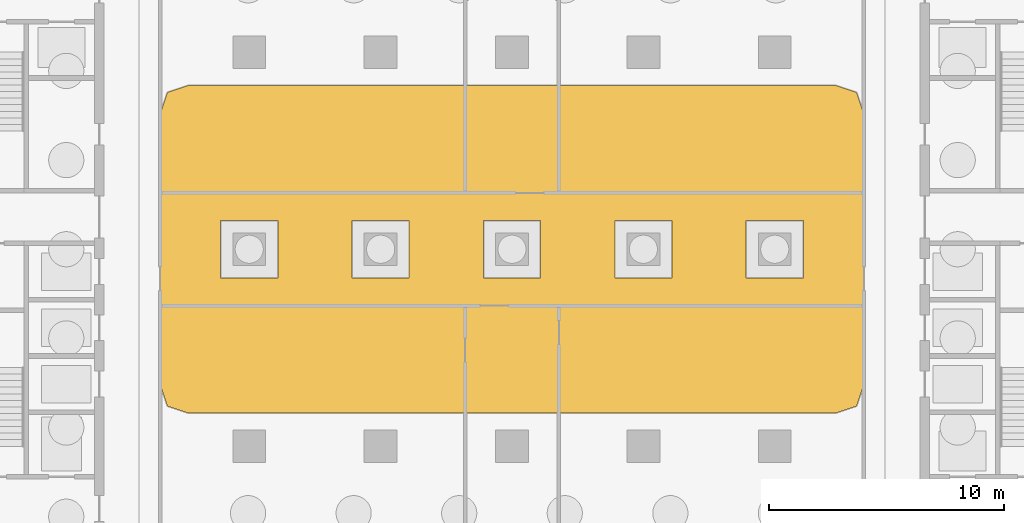
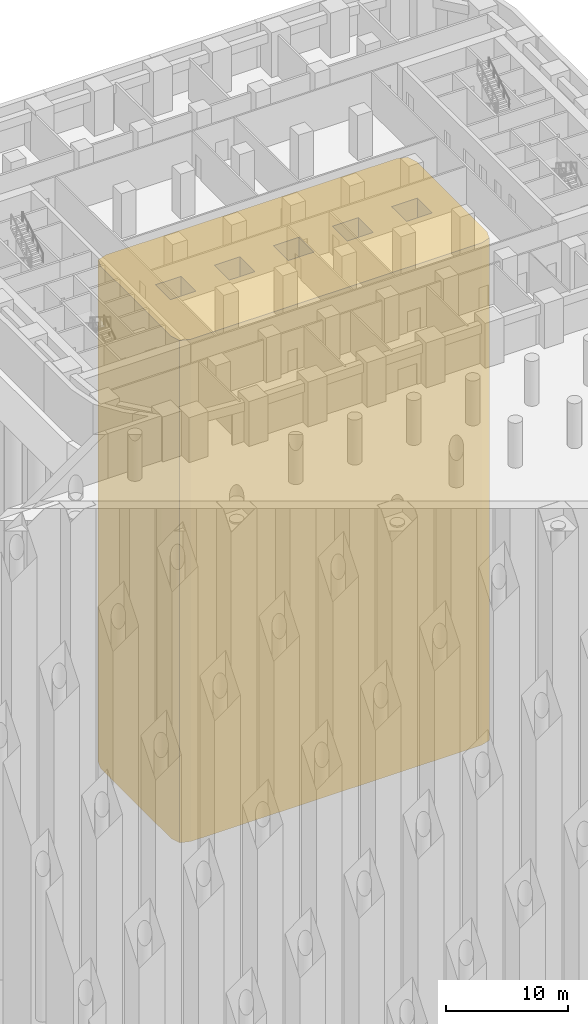
# One storey, part 20 of 23: 1 covering.
"""IFC4 building model written with IfcOpenShell, lengths in metres."""

import ifcopenshell
import ifcopenshell.guid

model = None  # the IFC model being written
_history = None  # IfcOwnerHistory: only IFC2X3 demands one
_inside = {}  # id of a spatial element -> (the spatial element, [elements in it])
_under = {}  # id of a project, library or spatial element -> (it, [spatial elements below it])
_declared = {}  # id of a project -> (the project, [libraries it declares])
_typed = {}  # id of a type object -> (the type object, [elements of that type])
_made_of = {}  # id of a material, layer set ... -> (it, [elements and type objects made of it])


def new_model(schema):
    """Start an empty IFC model of exactly this schema.

    Asked for "IFC4X3", IfcOpenShell would pick the latest addendum, in which some entities
    have other attributes; the version numbers below select the first issue.
    IFC2X3 requires an IfcOwnerHistory on every rooted entity: one is made here for all.
    """
    global model, _history
    if schema == "IFC4X3":
        model = ifcopenshell.file(schema_version=(4, 3, 0, 0))
    else:
        model = ifcopenshell.file(schema=schema)
    _inside.clear()
    _under.clear()
    _declared.clear()
    _typed.clear()
    _made_of.clear()
    _history = None
    if model.schema == "IFC2X3":
        org = make("IfcOrganization", Name="unknown")
        user = make(
            "IfcPersonAndOrganization",
            ThePerson=make("IfcPerson", FamilyName="unknown"),
            TheOrganization=org,
        )
        app = make(
            "IfcApplication",
            ApplicationDeveloper=org,
            Version="unknown",
            ApplicationFullName="unknown",
            ApplicationIdentifier="unknown",
        )
        _history = make(
            "IfcOwnerHistory",
            OwningUser=user,
            OwningApplication=app,
            ChangeAction="ADDED",
            CreationDate=0,
        )
    return model


def make(cls, **values):
    """One entity of the class cls with the attributes given. An attribute that is None is left unset."""
    return model.create_entity(
        cls, **{name: value for name, value in values.items() if value is not None}
    )


def rooted(cls, **values):
    """An entity with a GlobalId (a new one), such as an element, a storey or a relation."""
    return make(cls, GlobalId=ifcopenshell.guid.new(), OwnerHistory=_history, **values)


def si_unit(unit_type, name, prefix=None):
    """IfcSIUnit, for example si_unit("LENGTHUNIT", "METRE", prefix="MILLI")."""
    return make("IfcSIUnit", UnitType=unit_type, Prefix=prefix, Name=name)


def assignment(units):
    """IfcUnitAssignment: the units of a project."""
    return None if units is None else make("IfcUnitAssignment", Units=units)


def point(xyz):
    """IfcCartesianPoint."""
    return None if xyz is None else make("IfcCartesianPoint", Coordinates=xyz)


def direction(xyz):
    """IfcDirection."""
    return None if xyz is None else make("IfcDirection", DirectionRatios=xyz)


def frame(location, z_axis=None, x_axis=None):
    """IfcAxis2Placement3D, a coordinate frame: its origin and axes. An axis left out is left unset."""
    return make(
        "IfcAxis2Placement3D",
        Location=point(location),
        Axis=direction(z_axis),
        RefDirection=direction(x_axis),
    )


def origin():
    """The frame at (0, 0, 0) with its axes left unset."""
    return frame((0.0, 0.0, 0.0))


def place(relative_to, where):
    """IfcLocalPlacement: puts the frame where relative to a parent placement (None: the world)."""
    return make(
        "IfcLocalPlacement", PlacementRelTo=relative_to, RelativePlacement=where
    )


def context(
    kind, dimensions, precision=None, world=None, true_north=None, identifier=None
):
    """IfcGeometricRepresentationContext, for example the 3D "Model" context."""
    return make(
        "IfcGeometricRepresentationContext",
        ContextIdentifier=identifier,
        ContextType=kind,
        CoordinateSpaceDimension=dimensions,
        Precision=precision,
        WorldCoordinateSystem=world,
        TrueNorth=true_north,
    )


def subcontext(parent, identifier, kind, view, scale=None):
    """IfcGeometricRepresentationSubContext, for example "Body" below "Model"."""
    return make(
        "IfcGeometricRepresentationSubContext",
        ContextIdentifier=identifier,
        ContextType=kind,
        ParentContext=parent,
        TargetScale=scale,
        TargetView=view,
    )


def project(units=None, contexts=None):
    """IfcProject with its units and contexts."""
    return rooted(
        "IfcProject",
        Name="project",
        RepresentationContexts=contexts,
        UnitsInContext=assignment(units),
    )


def spatial(cls, under=None, at=None, **own):
    """A site, building, storey or space (cls), placed at a placement, below another one or the project."""
    s = rooted(cls, ObjectPlacement=at, **own)
    if under is not None:
        _under.setdefault(under.id(), (under, []))[1].append(s)
    return s


def polyline(points):
    """IfcPolyline through the points."""
    return make("IfcPolyline", Points=[point(p) for p in points])


def outline(outer, holes=None, kind="AREA"):
    """IfcArbitraryClosedProfileDef: a profile drawn as a closed curve; with holes, ...WithVoids."""
    if holes is None:
        return make("IfcArbitraryClosedProfileDef", ProfileType=kind, OuterCurve=outer)
    return make(
        "IfcArbitraryProfileDefWithVoids",
        ProfileType=kind,
        OuterCurve=outer,
        InnerCurves=holes,
    )


def extrude(swept, where, along, depth):
    """IfcExtrudedAreaSolid: the profile swept, set in the frame where, extruded along a direction by depth."""
    return make(
        "IfcExtrudedAreaSolid",
        SweptArea=swept,
        Position=where,
        ExtrudedDirection=direction(along),
        Depth=depth,
    )


def shape(context_of_items, identifier, shape_type, items):
    """IfcShapeRepresentation: the items that make up one representation, for example the "Body"."""
    return make(
        "IfcShapeRepresentation",
        ContextOfItems=context_of_items,
        RepresentationIdentifier=identifier,
        RepresentationType=shape_type,
        Items=items,
    )


def material(Name=None, Category=None):
    """IfcMaterial."""
    return make("IfcMaterial", Name=Name, Category=Category)


def layer(
    of_material, thickness, ventilated=None, Name=None, Category=None, Priority=None
):
    """IfcMaterialLayer: one layer of a wall or slab, of a material (None: an air gap)."""
    return make(
        "IfcMaterialLayer",
        Material=of_material,
        LayerThickness=thickness,
        IsVentilated=ventilated,
        Name=Name,
        Category=Category,
        Priority=Priority,
    )


def layer_set(layers, Name=None):
    """IfcMaterialLayerSet."""
    return make("IfcMaterialLayerSet", MaterialLayers=layers, LayerSetName=Name)


def made_of(thing, what):
    """Note that an element or type object is made of a material, layer set ...; save() writes the relation."""
    if what is not None:
        _made_of.setdefault(what.id(), (what, []))[1].append(thing)
    return thing


def type_object(cls, material=None, **own):
    """A type object (cls), such as IfcWallType, which elements share."""
    return made_of(rooted(cls, **own), material)


def element(
    cls,
    number,
    at=None,
    inside=None,
    cuts=None,
    type_object=None,
    material=None,
    context=None,
    identifier="Body",
    shape_type=None,
    held_by="IfcProductDefinitionShape",
    body=None,
    shapes=None,
    **own,
):
    """One element of the class cls, such as IfcWall. Its Tag is "e" and its number.

    at: its placement. inside: the storey or other place that contains it. cuts: it is an
    opening in that element (IfcRelVoidsElement). A single representation is given by context,
    identifier, shape_type and body (its items); several are given by shapes. held_by: the class
    of the entity that holds the representations. save() writes the other relations.
    """
    e = rooted(cls, Tag="e%d" % number, ObjectPlacement=at, **own)
    if body is not None:
        shapes = [shape(context, identifier, shape_type, body)]
    if shapes is not None:
        e.Representation = make(held_by, Representations=shapes)
    if inside is not None:
        _inside.setdefault(inside.id(), (inside, []))[1].append(e)
    if cuts is not None:
        rooted(
            "IfcRelVoidsElement", RelatingBuildingElement=cuts, RelatedOpeningElement=e
        )
    if type_object is not None:
        _typed.setdefault(type_object.id(), (type_object, []))[1].append(e)
    return made_of(e, material)


def aggregate(whole, parts):
    """IfcRelAggregates: a whole, such as a stair, and the parts it consists of."""
    return rooted("IfcRelAggregates", RelatingObject=whole, RelatedObjects=parts)


def save(model, path):
    """Write the relations noted so far, then the file.

    IfcRelAggregates (storeys below a building ...), IfcRelContainedInSpatialStructure (elements
    in a storey), IfcRelDefinesByType, IfcRelAssociatesMaterial and IfcRelDeclares: one each for
    every whole, place, type object, material and project.
    """
    for whole, parts in _under.values():
        aggregate(whole, parts)
    for where, things in _inside.values():
        rooted(
            "IfcRelContainedInSpatialStructure",
            RelatedElements=things,
            RelatingStructure=where,
        )
    for kind, things in _typed.values():
        rooted("IfcRelDefinesByType", RelatedObjects=things, RelatingType=kind)
    for what, things in _made_of.values():
        rooted("IfcRelAssociatesMaterial", RelatedObjects=things, RelatingMaterial=what)
    for by, libraries in _declared.values():
        rooted("IfcRelDeclares", RelatingContext=by, RelatedDefinitions=libraries)
    model.write(path)


model = new_model("IFC4")

# Units and contexts
model_context = context("Model", 3, precision=1e-05, world=origin(), true_north=direction((0.0, 1.0)))
body_context = subcontext(model_context, "Body", "Model", "MODEL_VIEW")
ifc_project = project(units=[si_unit("LENGTHUNIT", "METRE"), si_unit("AREAUNIT", "SQUARE_METRE"), si_unit("VOLUMEUNIT", "CUBIC_METRE"), si_unit("PLANEANGLEUNIT", "RADIAN"), si_unit("MASSUNIT", "GRAM", prefix="KILO")], contexts=[model_context])

# Site, building, storey
site_placement = place(None, origin())
site = spatial("IfcSite", under=ifc_project, at=site_placement, CompositionType="ELEMENT")
building_placement = place(site_placement, origin())
building = spatial("IfcBuilding", under=site, at=building_placement, Name="Kiln Ring Residences", CompositionType="ELEMENT")
storey_placement = place(building_placement, frame((0.0, 0.0, -4.5)))
storey = spatial("IfcBuildingStorey", under=building, at=storey_placement, Name="B1", CompositionType="ELEMENT", Elevation=-4.5)

# Covering
ifc_material = material(Name="Compacted fill and subsoil")
ifc_layer = layer(ifc_material, 1.0)
ifc_layer_set = layer_set([ifc_layer], Name="COMPACTED FILL AND SUBSOIL")
covering_type = type_object("IfcCoveringType", Name="COMPACTED FILL AND SUBSOIL", PredefinedType="USERDEFINED", material=ifc_layer_set)
covering_placement = place(storey_placement, frame((0.0, 0.0, -50.85009765625)))
element("IfcCovering", 1, at=covering_placement, inside=storey, type_object=covering_type, Name="Compacted fill and subsoil", ObjectType="SITE GROUND", PredefinedType="USERDEFINED", context=body_context, shape_type="SweptSolid", body=[
    extrude(outline(polyline([(-13.796875, 6.97998046875), (-14.68408203125, 6.68408203125), (-14.97998046875, 5.796875), (-14.97998046875, -5.796875), (-14.68408203125, -6.68408203125), (-13.796875, -6.97998046875), (13.796875, -6.97998046875), (14.68408203125, -6.68408203125), (14.97998046875, -5.796875), (14.97998046875, 5.796875), (14.68408203125, 6.68408203125), (13.796875, 6.97998046875), (-13.796875, 6.97998046875)]), holes=[polyline([(-9.97998046875, -1.219970703125), (-12.419921875, -1.219970703125), (-12.419921875, 1.219970703125), (-9.97998046875, 1.219970703125), (-9.97998046875, -1.219970703125)]), polyline([(-4.3798828125, -1.219970703125), (-6.820068359375, -1.219970703125), (-6.820068359375, 1.219970703125), (-4.3798828125, 1.219970703125), (-4.3798828125, -1.219970703125)]), polyline([(1.219970703125, -1.219970703125), (-1.219970703125, -1.219970703125), (-1.219970703125, 1.219970703125), (1.219970703125, 1.219970703125), (1.219970703125, -1.219970703125)]), polyline([(6.820068359375, 1.219970703125), (6.820068359375, -1.219970703125), (4.3798828125, -1.219970703125), (4.3798828125, 1.219970703125), (6.820068359375, 1.219970703125)]), polyline([(12.419921875, -1.219970703125), (9.97998046875, -1.219970703125), (9.97998046875, 1.219970703125), (12.419921875, 1.219970703125), (12.419921875, -1.219970703125)])]), origin(), (0.0, 0.0, 1.0), 50.35009765625),
])

save(model, "model.ifc")
